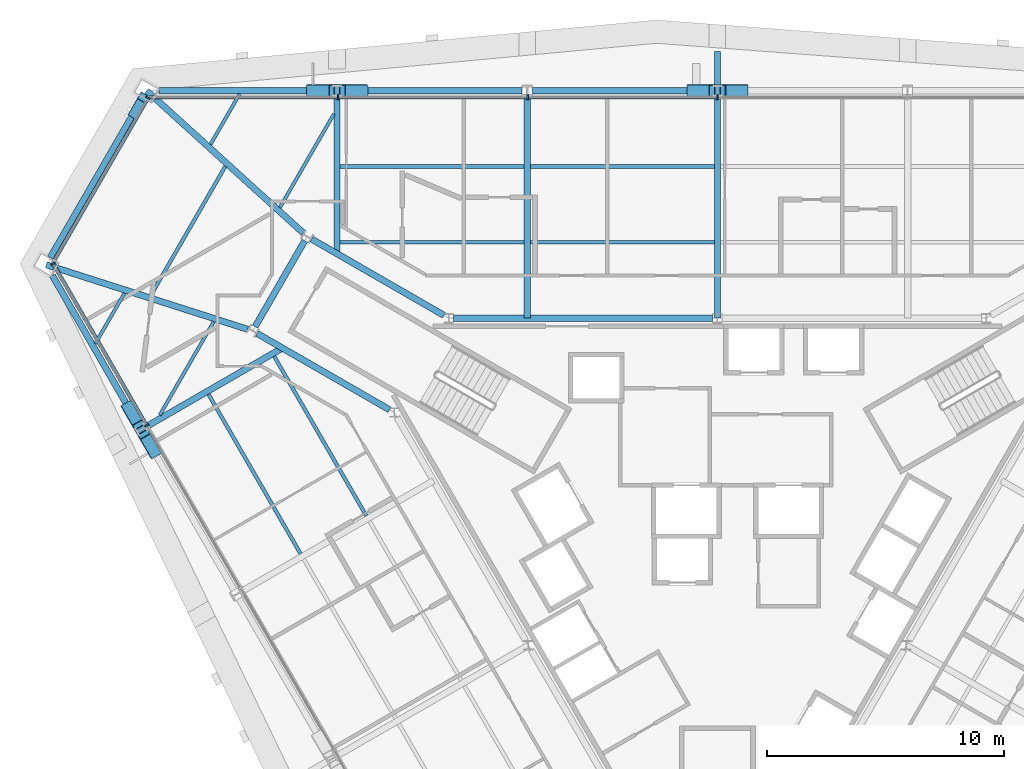
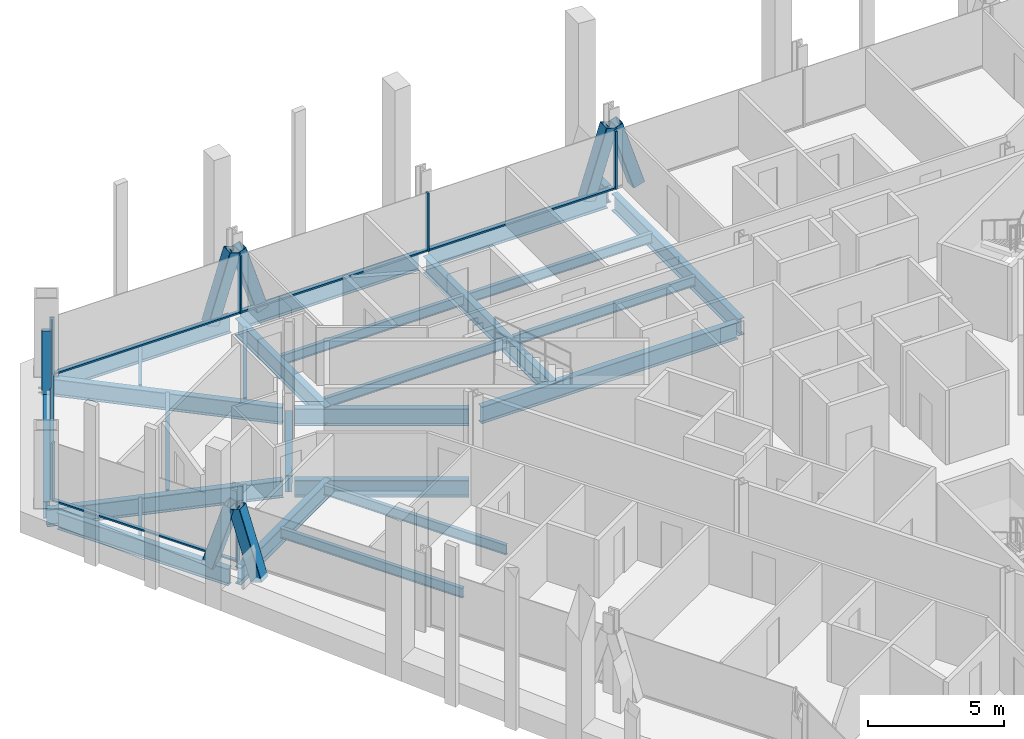
# One storey, part 7 of 16: 27 beams, 18 members, 3 elements without a shape of their own.
"""IFC4 building model written with IfcOpenShell, lengths in metres."""

from ifc_helpers import new_model, si_unit, direction, frame, origin, origin_2d, place, context, subcontext, project, spatial, rectangle, hollow_rectangle, i_section, extrude, material, material_profile, profile_set, type_object, element, aggregate, save


model = new_model("IFC4")

# Units and contexts
model_context = context("Model", 3, precision=1e-05, world=origin(), true_north=direction((0.0, 1.0)))
body_context = subcontext(model_context, "Body", "Model", "MODEL_VIEW")
ifc_project = project(units=[si_unit("LENGTHUNIT", "METRE"), si_unit("AREAUNIT", "SQUARE_METRE"), si_unit("VOLUMEUNIT", "CUBIC_METRE"), si_unit("PLANEANGLEUNIT", "RADIAN"), si_unit("MASSUNIT", "GRAM", prefix="KILO")], contexts=[model_context])

# Site, building, storey
site_placement = place(None, origin())
site = spatial("IfcSite", under=ifc_project, at=site_placement, CompositionType="ELEMENT")
building_placement = place(site_placement, origin())
building = spatial("IfcBuilding", under=site, at=building_placement, Name="Verrane Prism Tower", CompositionType="ELEMENT")
storey_placement = place(building_placement, frame((0.0, 0.0, 114.39990234375)))
storey = spatial("IfcBuildingStorey", under=building, at=storey_placement, Name="L27", CompositionType="ELEMENT", Elevation=114.39990234375)

# Member
ifc_material_1 = material(Name="Steel A500 Grade C", Category="steel")
ifc_material_profile_1 = material_profile(ifc_material_1, hollow_rectangle(XDim=0.355712890625, YDim=0.355712890625, WallThickness=0.0126953125, InnerFilletRadius=0.00634765625, OuterFilletRadius=0.01904296875, at=origin_2d()), Name="HSS14x14x1/2")
ifc_profile_set_1 = profile_set([ifc_material_profile_1], Name="Steel A500 Grade C")
member_type_1 = type_object("IfcMemberType", Name="Chamfer brace HSS14x14x1/2", PredefinedType="BRACE", material=ifc_profile_set_1)
member_1_placement = place(storey_placement, frame((-24.62548828125, 17.828369140625, -0.2451171875), z_axis=(0.159494912328, 0.276064033437, 0.947813284558), x_axis=(-0.865876963139, 0.500257018647, 0.0)))
element("IfcMember", 1, at=member_1_placement, inside=storey, type_object=member_type_1, Name="Chamfer brace NW0 L27", PredefinedType="BRACE", context=body_context, shape_type="SweptSolid", body=[
    extrude(hollow_rectangle(XDim=0.355712890625, YDim=0.355712890625, WallThickness=0.0126953125, InnerFilletRadius=0.00634765625, OuterFilletRadius=0.01904296875, at=origin_2d()), origin(), (0.0, 0.0, 1.0), 2.479736328125),
])

# Beams
ifc_material_2 = material(Name="Steel A992", Category="steel")
ifc_material_profile_2 = material_profile(ifc_material_2, i_section(OverallWidth=0.2666015625, OverallDepth=0.76708984375, WebThickness=0.014892578125, FlangeThickness=0.023681640625, FilletRadius=0.0166015625, at=origin_2d()), Name="W30x124")
ifc_profile_set_2 = profile_set([ifc_material_profile_2], Name="Steel A992")
beam_type_1 = type_object("IfcBeamType", Name="Chamfer spandrel beam W30x124", PredefinedType="SPANDREL", material=ifc_profile_set_2)
beam_1_placement = place(storey_placement, frame((-24.2451171875, 18.48681640625, -0.54345703125), z_axis=(-0.500214307011, -0.865901638214, 0.0), x_axis=(0.865901638214, -0.500214307011, 0.0)))
element("IfcBeam", 2, at=beam_1_placement, inside=storey, type_object=beam_type_1, Name="Chamfer spandrel beam L27", PredefinedType="SPANDREL", context=body_context, shape_type="SweptSolid", body=[
    extrude(i_section(OverallWidth=0.2666015625, OverallDepth=0.76708984375, WebThickness=0.014892578125, FlangeThickness=0.023681640625, FilletRadius=0.0166015625, at=origin_2d()), origin(), (0.0, 0.0, 1.0), 7.7763671875),
])
ifc_material_3 = material(Name="Steel A992", Category="steel")
ifc_material_profile_3 = material_profile(ifc_material_3, i_section(OverallWidth=0.2666015625, OverallDepth=0.7568359375, WebThickness=0.013916015625, FlangeThickness=0.019287109375, FilletRadius=0.0166015625, at=origin_2d()), Name="W30x108")
ifc_profile_set_3 = profile_set([ifc_material_profile_3], Name="Steel A992")
beam_type_2 = type_object("IfcBeamType", Name="Core ring girder W30x108", PredefinedType="BEAM", material=ifc_profile_set_3)
beam_2_placement = place(storey_placement, frame((-0.20068359375, 9.199951171875, -0.62841796875), z_axis=(-1.0, 0.0, 0.0), x_axis=(0.0, -1.0, 0.0)))
element("IfcBeam", 3, at=beam_2_placement, inside=storey, type_object=beam_type_2, Name="Core ring girder L27", PredefinedType="BEAM", context=body_context, shape_type="SweptSolid", body=[
    extrude(i_section(OverallWidth=0.2666015625, OverallDepth=0.7568359375, WebThickness=0.013916015625, FlangeThickness=0.019287109375, FilletRadius=0.0166015625, at=origin_2d()), origin(), (0.0, 0.0, 1.0), 10.9287109375),
])
beam_3_placement = place(storey_placement, frame((-11.53076171875, 9.315673828125, -0.62841796875), z_axis=(-0.866455532004, 0.499254254924, 0.0), x_axis=(-0.499254254924, -0.866455532004, 0.0)))
element("IfcBeam", 4, at=beam_3_placement, inside=storey, type_object=beam_type_2, Name="Core ring girder L27", PredefinedType="BEAM", context=body_context, shape_type="SweptSolid", body=[
    extrude(i_section(OverallWidth=0.2666015625, OverallDepth=0.7568359375, WebThickness=0.013916015625, FlangeThickness=0.019287109375, FilletRadius=0.0166015625, at=origin_2d()), origin(), (0.0, 0.0, 1.0), 6.441162109375),
])
beam_4_placement = place(storey_placement, frame((-17.40283203125, 12.4619140625, -0.62841796875), z_axis=(-0.500367003619, -0.865813410435, 0.0), x_axis=(0.865813410435, -0.500367003619, 0.0)))
element("IfcBeam", 5, at=beam_4_placement, inside=storey, type_object=beam_type_2, Name="Core ring girder L27", PredefinedType="BEAM", context=body_context, shape_type="SweptSolid", body=[
    extrude(i_section(OverallWidth=0.2666015625, OverallDepth=0.7568359375, WebThickness=0.013916015625, FlangeThickness=0.019287109375, FilletRadius=0.0166015625, at=origin_2d()), origin(), (0.0, 0.0, 1.0), 4.185302734375),
])
beam_5_placement = place(storey_placement, frame((-19.411865234375, 8.551513671875, -0.62841796875), z_axis=(0.866455532004, -0.499254254924, 0.0), x_axis=(0.499254254924, 0.866455532004, 0.0)))
element("IfcBeam", 6, at=beam_5_placement, inside=storey, type_object=beam_type_2, Name="Core ring girder L27", PredefinedType="BEAM", context=body_context, shape_type="SweptSolid", body=[
    extrude(i_section(OverallWidth=0.2666015625, OverallDepth=0.7568359375, WebThickness=0.013916015625, FlangeThickness=0.019287109375, FilletRadius=0.0166015625, at=origin_2d()), origin(), (0.0, 0.0, 1.0), 6.441162109375),
])
ifc_material_4 = material(Name="Steel A992", Category="steel")
ifc_material_profile_4 = material_profile(ifc_material_4, i_section(OverallWidth=0.2666015625, OverallDepth=0.76708984375, WebThickness=0.014892578125, FlangeThickness=0.023681640625, FilletRadius=0.0166015625, at=origin_2d()), Name="W30x124")
ifc_profile_set_4 = profile_set([ifc_material_profile_4], Name="Steel A992")
beam_type_3 = type_object("IfcBeamType", Name="Corner girder W30x124", PredefinedType="BEAM", material=ifc_profile_set_4)
beam_6_placement = place(storey_placement, frame((-24.068115234375, 18.788330078125, -0.603515625), z_axis=(0.740172818675, -0.67241668517, 0.0), x_axis=(0.67241668517, 0.740172818675, 0.0)))
element("IfcBeam", 7, at=beam_6_placement, inside=storey, type_object=beam_type_3, Name="Corner girder L27", PredefinedType="BEAM", context=body_context, shape_type="SweptSolid", body=[
    extrude(i_section(OverallWidth=0.2666015625, OverallDepth=0.76708984375, WebThickness=0.014892578125, FlangeThickness=0.023681640625, FilletRadius=0.0166015625, at=origin_2d()), origin(), (0.0, 0.0, 1.0), 8.921630859375),
])
beam_7_placement = place(storey_placement, frame((-28.3056640625, 11.448486328125, -0.603515625), z_axis=(0.952340206189, -0.305037918423, 0.0), x_axis=(0.305037918423, 0.952340206189, 0.0)))
element("IfcBeam", 8, at=beam_7_placement, inside=storey, type_object=beam_type_3, Name="Corner girder L27", PredefinedType="BEAM", context=body_context, shape_type="SweptSolid", body=[
    extrude(i_section(OverallWidth=0.2666015625, OverallDepth=0.76708984375, WebThickness=0.014892578125, FlangeThickness=0.023681640625, FilletRadius=0.0166015625, at=origin_2d()), origin(), (0.0, 0.0, 1.0), 8.919189453125),
])

# Members
ifc_material_5 = material(Name="Steel A1085 Grade A", Category="steel")
ifc_material_profile_5 = material_profile(ifc_material_5, hollow_rectangle(XDim=0.508056640625, YDim=0.508056640625, WallThickness=0.025390625, InnerFilletRadius=0.0126953125, OuterFilletRadius=0.0380859375, at=origin_2d()), Name="HSS20x20x1")
ifc_profile_set_5 = profile_set([ifc_material_profile_5], Name="Steel A1085 Grade A")
member_type_2 = type_object("IfcMemberType", Name="Facade brace HSS20x20x1", PredefinedType="BRACE", material=ifc_profile_set_5)
for number, where, z_axis, x_axis, name in (
    (9, (1.051513671875, 18.7900390625, -0.242431640625), (-0.303291153222, 0.0, 0.952897935971), (0.0, -1.0, 0.0), "Facade brace N2 L27"),
    (10, (-1.051513671875, 18.7900390625, -0.242431640625), (0.303291153222, 0.0, 0.952897935971), (0.0, 1.0, 0.0), "Facade brace N3 L27"),
    (11, (-14.988525390625, 18.7900390625, -0.242431640625), (-0.303219860808, 0.0, 0.952920624192), (0.0, -1.0, 0.0), "Facade brace N4 L27"),
):
    element("IfcMember", number, at=place(storey_placement, frame(where, z_axis=z_axis, x_axis=x_axis)), inside=storey, type_object=member_type_2, Name=name, PredefinedType="BRACE", context=body_context, shape_type="SweptSolid", body=[
        extrude(hollow_rectangle(XDim=0.508056640625, YDim=0.508056640625, WallThickness=0.025390625, InnerFilletRadius=0.0126953125, OuterFilletRadius=0.0380859375, at=origin_2d()), origin(), (0.0, 0.0, 1.0), 3.109619140625),
    ])
member_2_placement = place(storey_placement, frame((-17.093017578125, 18.7900390625, -0.242431640625), z_axis=(0.303647538886, 0.0, 0.952784431091), x_axis=(0.0, 1.0, 0.0)))
element("IfcMember", 12, at=member_2_placement, inside=storey, type_object=member_type_2, Name="Facade brace N5 L27", PredefinedType="BRACE", context=body_context, shape_type="SweptSolid", body=[
    extrude(hollow_rectangle(XDim=0.508056640625, YDim=0.508056640625, WallThickness=0.025390625, InnerFilletRadius=0.0126953125, OuterFilletRadius=0.0380859375, at=origin_2d()), origin(), (0.0, 0.0, 1.0), 3.10986328125),
])
member_3_placement = place(storey_placement, frame((-24.82568359375, 5.4111328125, -0.242431640625), z_axis=(0.151602395414, -0.262772251399, 0.952873264185), x_axis=(0.866181277581, 0.499729921425, 0.0)))
element("IfcMember", 13, at=member_3_placement, inside=storey, type_object=member_type_2, Name="Facade brace SW0 L27", PredefinedType="BRACE", context=body_context, shape_type="SweptSolid", body=[
    extrude(hollow_rectangle(XDim=0.508056640625, YDim=0.508056640625, WallThickness=0.025390625, InnerFilletRadius=0.0126953125, OuterFilletRadius=0.0380859375, at=origin_2d()), origin(), (0.0, 0.0, 1.0), 3.109619140625),
])
member_4_placement = place(storey_placement, frame((-23.77294921875, 3.5888671875, -0.242431640625), z_axis=(-0.151985888014, 0.262756594619, 0.952816489062), x_axis=(-0.865620994391, -0.500699804344, 0.0)))
element("IfcMember", 14, at=member_4_placement, inside=storey, type_object=member_type_2, Name="Facade brace SW1 L27", PredefinedType="BRACE", context=body_context, shape_type="SweptSolid", body=[
    extrude(hollow_rectangle(XDim=0.508056640625, YDim=0.508056640625, WallThickness=0.025390625, InnerFilletRadius=0.0126953125, OuterFilletRadius=0.0380859375, at=origin_2d()), origin(), (0.0, 0.0, 1.0), 3.10986328125),
])

# Beams
ifc_material_6 = material(Name="Steel A992", Category="steel")
ifc_material_profile_6 = material_profile(ifc_material_6, i_section(OverallWidth=0.140380859375, OverallDepth=0.40380859375, WebThickness=0.007080078125, FlangeThickness=0.01123046875, FilletRadius=0.01025390625, at=origin_2d()), Name="W16x31")
ifc_profile_set_6 = profile_set([ifc_material_profile_6], Name="Steel A992")
beam_type_4 = type_object("IfcBeamType", Name="Floor beam W16x31", PredefinedType="BEAM", material=ifc_profile_set_6)
beam_8_placement = place(storey_placement, frame((-18.4501953125, 13.864990234375, -0.36181640625), z_axis=(0.500008678503, 0.86602039319, 0.0), x_axis=(-0.86602039319, 0.500008678503, 0.0)))
element("IfcBeam", 15, at=beam_8_placement, inside=storey, type_object=beam_type_4, Name="Floor beam L27", PredefinedType="BEAM", context=body_context, shape_type="SweptSolid", body=[
    extrude(i_section(OverallWidth=0.140380859375, OverallDepth=0.40380859375, WebThickness=0.007080078125, FlangeThickness=0.01123046875, FilletRadius=0.01025390625, at=origin_2d()), origin(), (0.0, 0.0, 1.0), 4.55322265625),
])
beam_9_placement = place(storey_placement, frame((-21.37744140625, 16.5244140625, -0.36181640625), z_axis=(0.500000007376, 0.866025399526, 0.0), x_axis=(-0.866025399526, 0.500000007376, 0.0)))
element("IfcBeam", 16, at=beam_9_placement, inside=storey, type_object=beam_type_4, Name="Floor beam L27", PredefinedType="BEAM", context=body_context, shape_type="SweptSolid", body=[
    extrude(i_section(OverallWidth=0.140380859375, OverallDepth=0.40380859375, WebThickness=0.007080078125, FlangeThickness=0.01123046875, FilletRadius=0.01025390625, at=origin_2d()), origin(), (0.0, 0.0, 1.0), 2.4619140625),
])
beam_10_placement = place(storey_placement, frame((-23.5205078125, 5.104736328125, -0.36181640625), z_axis=(0.500004125498, 0.866023021914, 0.0), x_axis=(-0.866023021914, 0.500004125498, 0.0)))
element("IfcBeam", 17, at=beam_10_placement, inside=storey, type_object=beam_type_4, Name="Floor beam L27", PredefinedType="BEAM", context=body_context, shape_type="SweptSolid", body=[
    extrude(i_section(OverallWidth=0.140380859375, OverallDepth=0.40380859375, WebThickness=0.007080078125, FlangeThickness=0.01123046875, FilletRadius=0.01025390625, at=origin_2d()), origin(), (0.0, 0.0, 1.0), 4.5517578125),
])
beam_11_placement = place(storey_placement, frame((-26.23583984375, 8.122314453125, -0.36181640625), z_axis=(0.500026134388, 0.866010314562, 0.0), x_axis=(-0.866010314562, 0.500026134388, 0.0)))
element("IfcBeam", 18, at=beam_11_placement, inside=storey, type_object=beam_type_4, Name="Floor beam L27", PredefinedType="BEAM", context=body_context, shape_type="SweptSolid", body=[
    extrude(i_section(OverallWidth=0.140380859375, OverallDepth=0.40380859375, WebThickness=0.007080078125, FlangeThickness=0.01123046875, FilletRadius=0.01025390625, at=origin_2d()), origin(), (0.0, 0.0, 1.0), 2.458740234375),
])
ifc_material_7 = material(Name="Steel A992", Category="steel")
ifc_material_profile_7 = material_profile(ifc_material_7, i_section(OverallWidth=0.15234375, OverallDepth=0.449462890625, WebThickness=0.007568359375, FlangeThickness=0.0107421875, FilletRadius=0.01025390625, at=origin_2d()), Name="W18x35")
ifc_profile_set_7 = profile_set([ifc_material_profile_7], Name="Steel A992")
beam_type_5 = type_object("IfcBeamType", Name="Floor beam W18x35", PredefinedType="BEAM", material=ifc_profile_set_7)
for number, where, z_axis, x_axis, name in (
    (19, (-7.886474609375, 12.396728515625, -0.384765625), (1.0, 0.0, 0.0), (0.0, 1.0, 0.0), "Floor beam L27"),
    (20, (-7.886474609375, 15.59326171875, -0.384765625), (1.0, 0.0, 0.0), (0.0, 1.0, 0.0), "Floor beam L27"),
    (21, (-15.906494140625, 12.396728515625, -0.384765625), (1.0, 0.0, 0.0), (0.0, 1.0, 0.0), "Floor beam L27"),
    (22, (-15.906494140625, 15.59326171875, -0.384765625), (1.0, 0.0, 0.0), (0.0, 1.0, 0.0), "Floor beam L27"),
):
    element("IfcBeam", number, at=place(storey_placement, frame(where, z_axis=z_axis, x_axis=x_axis)), inside=storey, type_object=beam_type_5, Name=name, PredefinedType="BEAM", context=body_context, shape_type="SweptSolid", body=[
        extrude(i_section(OverallWidth=0.15234375, OverallDepth=0.449462890625, WebThickness=0.007568359375, FlangeThickness=0.0107421875, FilletRadius=0.01025390625, at=origin_2d()), origin(), (0.0, 0.0, 1.0), 7.7529296875),
    ])
beam_12_placement = place(storey_placement, frame((-14.80859375, 0.864501953125, -0.384765625), z_axis=(-0.500014594887, 0.866016977259, 0.0), x_axis=(-0.866016977259, -0.500014594887, 0.0)))
element("IfcBeam", 23, at=beam_12_placement, inside=storey, type_object=beam_type_5, Name="Floor beam L27", PredefinedType="BEAM", context=body_context, shape_type="SweptSolid", body=[
    extrude(i_section(OverallWidth=0.15234375, OverallDepth=0.449462890625, WebThickness=0.007568359375, FlangeThickness=0.0107421875, FilletRadius=0.01025390625, at=origin_2d()), origin(), (0.0, 0.0, 1.0), 7.764404296875),
])
beam_13_placement = place(storey_placement, frame((-17.58056640625, -0.736572265625, -0.384765625), z_axis=(-0.499974721637, 0.866039997762, 0.0), x_axis=(-0.866039997762, -0.499974721637, 0.0)))
element("IfcBeam", 24, at=beam_13_placement, inside=storey, type_object=beam_type_5, Name="Floor beam L27", PredefinedType="BEAM", context=body_context, shape_type="SweptSolid", body=[
    extrude(i_section(OverallWidth=0.15234375, OverallDepth=0.449462890625, WebThickness=0.007568359375, FlangeThickness=0.0107421875, FilletRadius=0.01025390625, at=origin_2d()), origin(), (0.0, 0.0, 1.0), 7.76318359375),
])
beam_14_placement = place(storey_placement, frame((-23.8857421875, 10.173095703125, -0.384765625), z_axis=(0.50001262068, 0.866018117109, 0.0), x_axis=(-0.866018117109, 0.50001262068, 0.0)))
element("IfcBeam", 25, at=beam_14_placement, inside=storey, type_object=beam_type_5, Name="Floor beam L27", PredefinedType="BEAM", context=body_context, shape_type="SweptSolid", body=[
    extrude(i_section(OverallWidth=0.15234375, OverallDepth=0.449462890625, WebThickness=0.007568359375, FlangeThickness=0.0107421875, FilletRadius=0.01025390625, at=origin_2d()), origin(), (0.0, 0.0, 1.0), 6.263427734375),
])

# Curtain wall, members
ifc_material_8 = material(Name="Aluminium framed insulated glazing", Category="aluminium")
curtain_wall_type = type_object("IfcCurtainWallType", Name="Curtain wall CW-A 8400 module", PredefinedType="NOTDEFINED", material=ifc_material_8)
curtain_wall_1_placement = place(storey_placement, origin())
curtain_wall_1 = element("IfcCurtainWall", 26, at=curtain_wall_1_placement, inside=storey, type_object=curtain_wall_type, Name="Glazed curtain wall north face L27", PredefinedType="NOTDEFINED")
ifc_material_9 = material(Name="Aluminium alloy 6063-T6", Category="aluminium")
ifc_material_profile_8 = material_profile(ifc_material_9, rectangle(XDim=0.199951171875, YDim=0.070068359375, at=origin_2d()), Name="Mullion 70x200 aluminium")
ifc_profile_set_8 = profile_set([ifc_material_profile_8], Name="Aluminium alloy 6063-T6")
member_type_3 = type_object("IfcMemberType", Name="Mullion 70x200 aluminium", PredefinedType="MULLION", material=ifc_profile_set_8)
member_5_placement = place(storey_placement, frame((0.0, 18.510986328125, 0.0), z_axis=(0.0, 0.0, 1.0), x_axis=(0.0, -1.0, 0.0)))
member_5 = element("IfcMember", 27, at=member_5_placement, type_object=member_type_3, Name="CW27.2 mullion 4", PredefinedType="MULLION", context=body_context, shape_type="SweptSolid", body=[
    extrude(rectangle(XDim=0.199951171875, YDim=0.070068359375, at=origin_2d()), origin(), (0.0, 0.0, 1.0), 2.613037109375),
])
member_6_placement = place(storey_placement, frame((-7.998046875, 18.510986328125, 0.0), z_axis=(0.0, 0.0, 1.0), x_axis=(0.0, -1.0, 0.0)))
member_6 = element("IfcMember", 28, at=member_6_placement, type_object=member_type_3, Name="CW27.2 mullion 5", PredefinedType="MULLION", context=body_context, shape_type="SweptSolid", body=[
    extrude(rectangle(XDim=0.199951171875, YDim=0.070068359375, at=origin_2d()), origin(), (0.0, 0.0, 1.0), 2.613037109375),
])
member_7_placement = place(storey_placement, frame((-15.99609375, 18.510986328125, 0.0), z_axis=(0.0, 0.0, 1.0), x_axis=(0.0, -1.0, 0.0)))
member_7 = element("IfcMember", 29, at=member_7_placement, type_object=member_type_3, Name="CW27.2 mullion 6", PredefinedType="MULLION", context=body_context, shape_type="SweptSolid", body=[
    extrude(rectangle(XDim=0.199951171875, YDim=0.070068359375, at=origin_2d()), origin(), (0.0, 0.0, 1.0), 2.613037109375),
])

# Curtain wall, member
curtain_wall_2_placement = place(storey_placement, origin())
curtain_wall_2 = element("IfcCurtainWall", 30, at=curtain_wall_2_placement, inside=storey, type_object=curtain_wall_type, Name="Glazed curtain wall north-west corner L27", PredefinedType="NOTDEFINED")
member_8_placement = place(storey_placement, frame((-24.01171875, 18.480712890625, 0.0), z_axis=(0.0, 0.0, 1.0), x_axis=(0.866027890405, -0.499995693021, 0.0)))
member_8 = element("IfcMember", 31, at=member_8_placement, type_object=member_type_3, Name="CW27.3 mullion 1", PredefinedType="MULLION", context=body_context, shape_type="SweptSolid", body=[
    extrude(rectangle(XDim=0.199951171875, YDim=0.070068359375, at=origin_2d()), origin(), (0.0, 0.0, 1.0), 2.613037109375),
])

# Curtain wall, members
curtain_wall_3_placement = place(storey_placement, origin())
curtain_wall_3 = element("IfcCurtainWall", 32, at=curtain_wall_3_placement, inside=storey, type_object=curtain_wall_type, Name="Glazed curtain wall south-west face L27", PredefinedType="NOTDEFINED")
member_9_placement = place(storey_placement, frame((-28.010498046875, 11.49365234375, 0.0), z_axis=(0.0, 0.0, 1.0), x_axis=(0.866026054504, 0.49999887292, 0.0)))
member_9 = element("IfcMember", 33, at=member_9_placement, type_object=member_type_3, Name="CW27.4 mullion 1", PredefinedType="MULLION", context=body_context, shape_type="SweptSolid", body=[
    extrude(rectangle(XDim=0.199951171875, YDim=0.070068359375, at=origin_2d()), origin(), (0.0, 0.0, 1.0), 2.613037109375),
])
member_10_placement = place(storey_placement, frame((-24.07177734375, 4.671630859375, 0.0), z_axis=(0.0, 0.0, 1.0), x_axis=(0.866026054504, 0.49999887292, 0.0)))
member_10 = element("IfcMember", 34, at=member_10_placement, type_object=member_type_3, Name="CW27.4 mullion 2", PredefinedType="MULLION", context=body_context, shape_type="SweptSolid", body=[
    extrude(rectangle(XDim=0.199951171875, YDim=0.070068359375, at=origin_2d()), origin(), (0.0, 0.0, 1.0), 2.613037109375),
])

# Beams
ifc_material_10 = material(Name="Steel A992", Category="steel")
ifc_material_profile_9 = material_profile(ifc_material_10, i_section(OverallWidth=0.2666015625, OverallDepth=0.76708984375, WebThickness=0.014892578125, FlangeThickness=0.023681640625, FilletRadius=0.0166015625, at=origin_2d()), Name="W30x124")
ifc_profile_set_9 = profile_set([ifc_material_profile_9], Name="Steel A992")
beam_type_6 = type_object("IfcBeamType", Name="Radial girder W30x124", PredefinedType="BEAM", material=ifc_profile_set_9)
for number, where, z_axis, x_axis, name in (
    (35, (0.0, 18.552490234375, -0.603515625), (0.0, -1.0, 0.0), (1.0, 0.0, 0.0), "Radial girder L27"),
    (36, (-8.02001953125, 18.552490234375, -0.603515625), (0.0, -1.0, 0.0), (1.0, 0.0, 0.0), "Radial girder L27"),
):
    element("IfcBeam", number, at=place(storey_placement, frame(where, z_axis=z_axis, x_axis=x_axis)), inside=storey, type_object=beam_type_6, Name=name, PredefinedType="BEAM", context=body_context, shape_type="SweptSolid", body=[
        extrude(i_section(OverallWidth=0.2666015625, OverallDepth=0.76708984375, WebThickness=0.014892578125, FlangeThickness=0.023681640625, FilletRadius=0.0166015625, at=origin_2d()), origin(), (0.0, 0.0, 1.0), 9.3525390625),
    ])
beam_15_placement = place(storey_placement, frame((-16.0400390625, 18.552490234375, -0.603515625), z_axis=(0.0, -1.0, 0.0), x_axis=(1.0, 0.0, 0.0)))
element("IfcBeam", 37, at=beam_15_placement, inside=storey, type_object=beam_type_6, Name="Radial girder L27", PredefinedType="BEAM", context=body_context, shape_type="SweptSolid", body=[
    extrude(i_section(OverallWidth=0.2666015625, OverallDepth=0.76708984375, WebThickness=0.014892578125, FlangeThickness=0.023681640625, FilletRadius=0.0166015625, at=origin_2d()), origin(), (0.0, 0.0, 1.0), 6.638427734375),
])
beam_16_placement = place(storey_placement, frame((-24.09423828125, 4.61865234375, -0.603515625), z_axis=(0.866011622103, 0.500023869813, 0.0), x_axis=(-0.500023869813, 0.866011622103, 0.0)))
element("IfcBeam", 38, at=beam_16_placement, inside=storey, type_object=beam_type_6, Name="Radial girder L27", PredefinedType="BEAM", context=body_context, shape_type="SweptSolid", body=[
    extrude(i_section(OverallWidth=0.2666015625, OverallDepth=0.76708984375, WebThickness=0.014892578125, FlangeThickness=0.023681640625, FilletRadius=0.0166015625, at=origin_2d()), origin(), (0.0, 0.0, 1.0), 6.637451171875),
])
beam_17_placement = place(storey_placement, frame((0.0, 19.0234375, -0.603515625), z_axis=(0.0, 1.0, 0.0), x_axis=(-1.0, 0.0, 0.0)))
element("IfcBeam", 39, at=beam_17_placement, inside=storey, type_object=beam_type_6, Name="Cantilever girder L27", PredefinedType="BEAM", context=body_context, shape_type="SweptSolid", body=[
    extrude(i_section(OverallWidth=0.2666015625, OverallDepth=0.76708984375, WebThickness=0.014892578125, FlangeThickness=0.023681640625, FilletRadius=0.0166015625, at=origin_2d()), origin(), (0.0, 0.0, 1.0), 1.42041015625),
])
ifc_material_11 = material(Name="Steel A992", Category="steel")
ifc_material_profile_10 = material_profile(ifc_material_11, i_section(OverallWidth=0.2666015625, OverallDepth=0.7568359375, WebThickness=0.013916015625, FlangeThickness=0.019287109375, FilletRadius=0.0166015625, at=origin_2d()), Name="W30x108")
ifc_profile_set_10 = profile_set([ifc_material_profile_10], Name="Steel A992")
beam_type_7 = type_object("IfcBeamType", Name="Spandrel beam W30x108", PredefinedType="SPANDREL", material=ifc_profile_set_10)
for number, where, z_axis, x_axis, name in (
    (40, (-0.212158203125, 18.7900390625, -0.538330078125), (-1.0, 0.0, 0.0), (0.0, -1.0, 0.0), "Spandrel beam L27"),
    (41, (-8.232177734375, 18.7900390625, -0.538330078125), (-1.0, 0.0, 0.0), (0.0, -1.0, 0.0), "Spandrel beam L27"),
):
    element("IfcBeam", number, at=place(storey_placement, frame(where, z_axis=z_axis, x_axis=x_axis)), inside=storey, type_object=beam_type_7, Name=name, PredefinedType="SPANDREL", context=body_context, shape_type="SweptSolid", body=[
        extrude(i_section(OverallWidth=0.2666015625, OverallDepth=0.7568359375, WebThickness=0.013916015625, FlangeThickness=0.019287109375, FilletRadius=0.0166015625, at=origin_2d()), origin(), (0.0, 0.0, 1.0), 7.595703125),
    ])
beam_18_placement = place(storey_placement, frame((-16.252197265625, 18.7900390625, -0.538330078125), z_axis=(-1.0, 0.0, 0.0), x_axis=(0.0, -1.0, 0.0)))
element("IfcBeam", 42, at=beam_18_placement, inside=storey, type_object=beam_type_7, Name="Spandrel beam L27", PredefinedType="SPANDREL", context=body_context, shape_type="SweptSolid", body=[
    extrude(i_section(OverallWidth=0.2666015625, OverallDepth=0.7568359375, WebThickness=0.013916015625, FlangeThickness=0.019287109375, FilletRadius=0.0166015625, at=origin_2d()), origin(), (0.0, 0.0, 1.0), 7.298095703125),
])
beam_19_placement = place(storey_placement, frame((-28.05029296875, 11.0, -0.538330078125), z_axis=(0.499743707602, -0.866173323713, 0.0), x_axis=(0.866173323713, 0.499743707602, 0.0)))
element("IfcBeam", 43, at=beam_19_placement, inside=storey, type_object=beam_type_7, Name="Spandrel beam L27", PredefinedType="SPANDREL", context=body_context, shape_type="SweptSolid", body=[
    extrude(i_section(OverallWidth=0.2666015625, OverallDepth=0.7568359375, WebThickness=0.013916015625, FlangeThickness=0.019287109375, FilletRadius=0.0166015625, at=origin_2d()), origin(), (0.0, 0.0, 1.0), 7.292236328125),
])

# Member
ifc_material_12 = material(Name="Aluminium alloy 6063-T6", Category="aluminium")
ifc_material_profile_11 = material_profile(ifc_material_12, rectangle(XDim=0.14990234375, YDim=0.070068359375, at=origin_2d()), Name="Transom 70x150 aluminium")
ifc_profile_set_11 = profile_set([ifc_material_profile_11], Name="Aluminium alloy 6063-T6")
member_type_4 = type_object("IfcMemberType", Name="Transom 70x150 aluminium", PredefinedType="USERDEFINED", material=ifc_profile_set_11)
member_11_placement = place(storey_placement, frame((-0.034912109375, 18.510986328125, 0.03515625), z_axis=(-1.0, 0.0, 0.0), x_axis=(0.0, -1.0, 0.0)))
member_11 = element("IfcMember", 44, at=member_11_placement, type_object=member_type_4, Name="CW27.2 transom 4", ObjectType="TRANSOM", PredefinedType="USERDEFINED", context=body_context, shape_type="SweptSolid", body=[
    extrude(rectangle(XDim=0.14990234375, YDim=0.070068359375, at=origin_2d()), origin(), (0.0, 0.0, 1.0), 7.92822265625),
])

member_12_placement = place(storey_placement, frame((-8.032958984375, 18.510986328125, 0.03515625), z_axis=(-1.0, 0.0, 0.0), x_axis=(0.0, -1.0, 0.0)))
member_12 = element("IfcMember", 45, at=member_12_placement, type_object=member_type_4, Name="CW27.2 transom 5", ObjectType="TRANSOM", PredefinedType="USERDEFINED", context=body_context, shape_type="SweptSolid", body=[
    extrude(rectangle(XDim=0.14990234375, YDim=0.070068359375, at=origin_2d()), origin(), (0.0, 0.0, 1.0), 7.92822265625),
])

member_13_placement = place(storey_placement, frame((-16.031005859375, 18.510986328125, 0.03515625), z_axis=(-1.0, 0.0, 0.0), x_axis=(0.0, -1.0, 0.0)))
member_13 = element("IfcMember", 46, at=member_13_placement, type_object=member_type_4, Name="CW27.2 transom 6", ObjectType="TRANSOM", PredefinedType="USERDEFINED", context=body_context, shape_type="SweptSolid", body=[
    extrude(rectangle(XDim=0.14990234375, YDim=0.070068359375, at=origin_2d()), origin(), (0.0, 0.0, 1.0), 7.963134765625),
])

aggregate(curtain_wall_1, [member_5, member_6, member_7, member_11, member_12, member_13])

member_14_placement = place(storey_placement, frame((-24.029052734375, 18.450439453125, 0.03515625), z_axis=(-0.499999897272, -0.866025463095, 0.0), x_axis=(0.866025463095, -0.499999897272, 0.0)))
member_14 = element("IfcMember", 47, at=member_14_placement, type_object=member_type_4, Name="CW27.3 transom 1", ObjectType="TRANSOM", PredefinedType="USERDEFINED", context=body_context, shape_type="SweptSolid", body=[
    extrude(rectangle(XDim=0.14990234375, YDim=0.070068359375, at=origin_2d()), origin(), (0.0, 0.0, 1.0), 7.998046875),
])

aggregate(curtain_wall_2, [member_8, member_14])

member_15_placement = place(storey_placement, frame((-27.992919921875, 11.46337890625, 0.03515625), z_axis=(0.499983214589, -0.866035094629, 0.0), x_axis=(0.866035094629, 0.499983214589, 0.0)))
member_15 = element("IfcMember", 48, at=member_15_placement, type_object=member_type_4, Name="CW27.4 transom 1", ObjectType="TRANSOM", PredefinedType="USERDEFINED", context=body_context, shape_type="SweptSolid", body=[
    extrude(rectangle(XDim=0.14990234375, YDim=0.070068359375, at=origin_2d()), origin(), (0.0, 0.0, 1.0), 7.807373046875),
])

aggregate(curtain_wall_3, [member_9, member_10, member_15])

save(model, "model.ifc")
